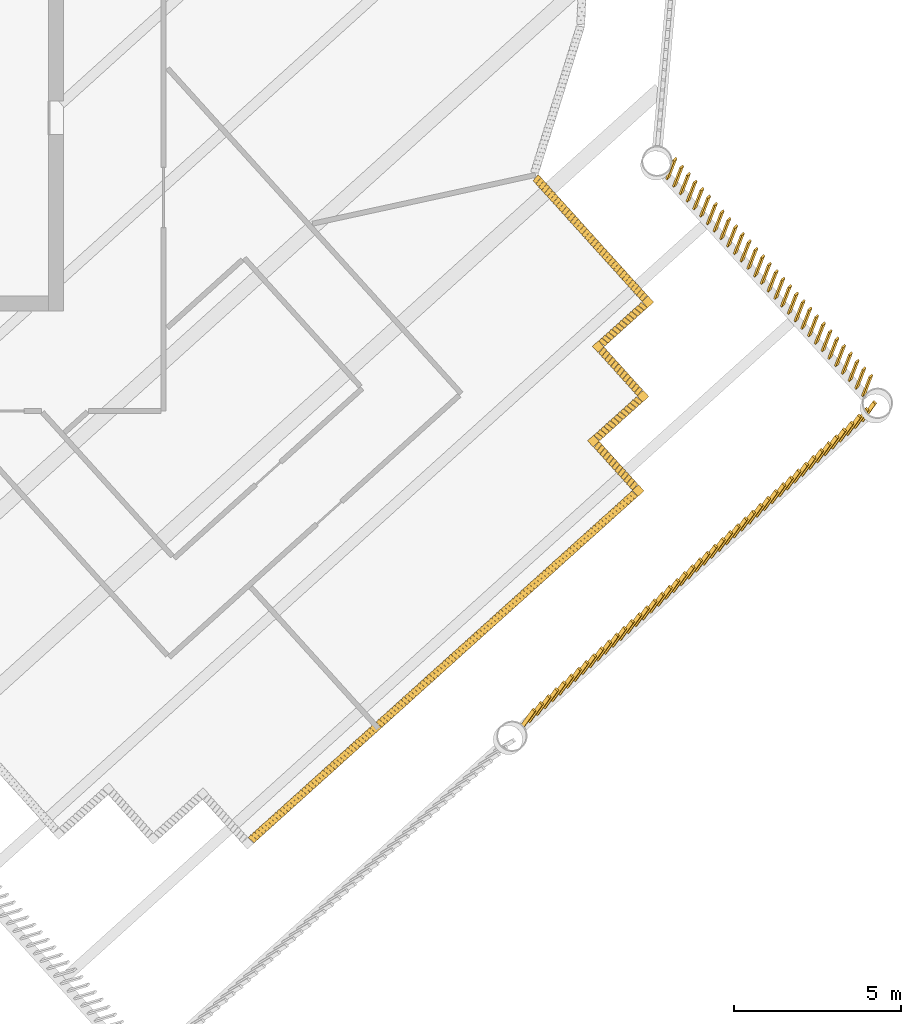
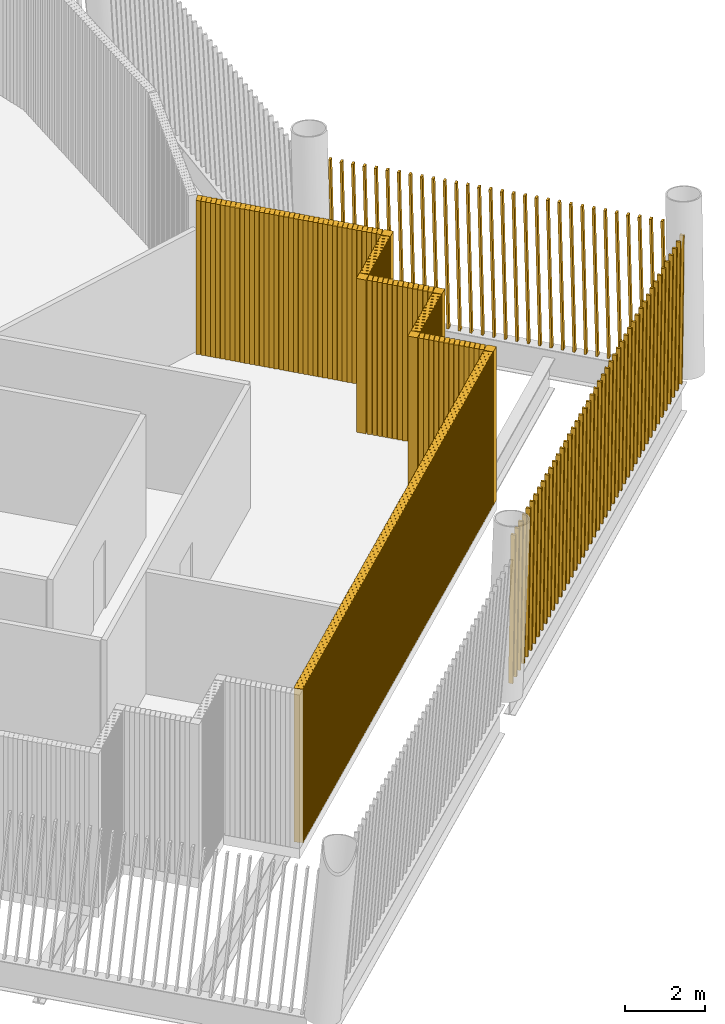
# One storey, part 19 of 21: 13 shading devices.
"""IFC4 building model written with IfcOpenShell, lengths in metres."""

from ifc_helpers import new_model, si_unit, direction, frame, frame_2d, origin, origin_2d, place, context, subcontext, project, spatial, rectangle, composite_profile, extrude, material, type_object, element, save


model = new_model("IFC4")

# Units and contexts
model_context = context("Model", 3, precision=1e-05, world=origin(), true_north=direction((0.0, 1.0)))
body_context = subcontext(model_context, "Body", "Model", "MODEL_VIEW")
ifc_project = project(units=[si_unit("LENGTHUNIT", "METRE"), si_unit("AREAUNIT", "SQUARE_METRE"), si_unit("VOLUMEUNIT", "CUBIC_METRE"), si_unit("PLANEANGLEUNIT", "RADIAN"), si_unit("MASSUNIT", "GRAM", prefix="KILO")], contexts=[model_context])

# Site, building, storey
site_placement = place(None, origin())
site = spatial("IfcSite", under=ifc_project, at=site_placement, CompositionType="ELEMENT")
building_placement = place(site_placement, origin())
building = spatial("IfcBuilding", under=site, at=building_placement, Name="Tarsis Ring Headquarters", CompositionType="ELEMENT")
storey_placement = place(building_placement, frame((0.0, 0.0, 398.60009765625)))
storey = spatial("IfcBuildingStorey", under=building, at=storey_placement, Name="L94", CompositionType="ELEMENT", Elevation=398.60009765625)

# Shading devices
ifc_material_1 = material(Name="Aluminium louvre", Category="aluminium")
shading_device_type_1 = type_object("IfcShadingDeviceType", Name="Plant louvre fin", PredefinedType="USERDEFINED", material=ifc_material_1)
shading_device_1_placement = place(storey_placement, frame((15.609375, -28.851806640625, 0.0), z_axis=(0.0, 0.0, 1.0), x_axis=(0.742207311503, 0.670163335381, 0.0)))
element("IfcShadingDevice", 1, at=shading_device_1_placement, inside=storey, type_object=shading_device_type_1, Name="Louvre L94-11", ObjectType="Louvre", PredefinedType="USERDEFINED", context=body_context, shape_type="SweptSolid", body=[
    extrude(composite_profile([rectangle(XDim=0.1201171875, YDim=0.239990234375, at=frame_2d((0.076171875, 0.0), x_axis=(0.990268068742, 0.13917310096))), rectangle(XDim=0.1201171875, YDim=0.239990234375, at=frame_2d((0.201904296875, 0.0), x_axis=(0.990268068742, 0.13917310096))), rectangle(XDim=0.1201171875, YDim=0.239990234375, at=frame_2d((0.327880859375, 0.0), x_axis=(0.990268068742, 0.13917310096))), rectangle(XDim=0.1201171875, YDim=0.239990234375, at=frame_2d((0.45361328125, 0.0), x_axis=(0.990268068742, 0.13917310096))), rectangle(XDim=0.1201171875, YDim=0.239990234375, at=frame_2d((0.579345703125, 0.0), x_axis=(0.990268068742, 0.13917310096))), rectangle(XDim=0.1201171875, YDim=0.239990234375, at=frame_2d((0.705078125, 0.0), x_axis=(0.990268068742, 0.13917310096))), rectangle(XDim=0.1201171875, YDim=0.239990234375, at=frame_2d((0.8310546875, 0.0), x_axis=(0.990268068742, 0.13917310096))), rectangle(XDim=0.1201171875, YDim=0.239990234375, at=frame_2d((0.956787109375, 0.0), x_axis=(0.990268068742, 0.13917310096))), rectangle(XDim=0.1201171875, YDim=0.239990234375, at=frame_2d((1.08251953125, 0.0), x_axis=(0.990268068742, 0.13917310096))), rectangle(XDim=0.1201171875, YDim=0.239990234375, at=frame_2d((1.208251953125, 0.0), x_axis=(0.990268068742, 0.13917310096))), rectangle(XDim=0.1201171875, YDim=0.239990234375, at=frame_2d((1.334228515625, 0.0), x_axis=(0.990268068742, 0.13917310096))), rectangle(XDim=0.1201171875, YDim=0.239990234375, at=frame_2d((1.4599609375, 0.0), x_axis=(0.990268068742, 0.13917310096))), rectangle(XDim=0.1201171875, YDim=0.239990234375, at=frame_2d((1.585693359375, 0.0), x_axis=(0.990268068742, 0.13917310096))), rectangle(XDim=0.1201171875, YDim=0.239990234375, at=frame_2d((1.711669921875, 0.0), x_axis=(0.990268068742, 0.13917310096))), rectangle(XDim=0.1201171875, YDim=0.239990234375, at=frame_2d((1.83740234375, 0.0), x_axis=(0.990268068742, 0.13917310096))), rectangle(XDim=0.1201171875, YDim=0.239990234375, at=frame_2d((1.963134765625, 0.0), x_axis=(0.990268068742, 0.13917310096))), rectangle(XDim=0.1201171875, YDim=0.239990234375, at=frame_2d((2.0888671875, 0.0), x_axis=(0.990268068742, 0.13917310096))), rectangle(XDim=0.1201171875, YDim=0.239990234375, at=frame_2d((2.21484375, 0.0), x_axis=(0.990268068742, 0.13917310096))), rectangle(XDim=0.1201171875, YDim=0.239990234375, at=frame_2d((2.340576171875, 0.0), x_axis=(0.990268068742, 0.13917310096))), rectangle(XDim=0.1201171875, YDim=0.239990234375, at=frame_2d((2.46630859375, 0.0), x_axis=(0.990268068742, 0.13917310096))), rectangle(XDim=0.1201171875, YDim=0.239990234375, at=frame_2d((2.592041015625, 0.0), x_axis=(0.990268068742, 0.13917310096))), rectangle(XDim=0.1201171875, YDim=0.239990234375, at=frame_2d((2.718017578125, 0.0), x_axis=(0.990268068742, 0.13917310096))), rectangle(XDim=0.1201171875, YDim=0.239990234375, at=frame_2d((2.84375, 0.0), x_axis=(0.990268068742, 0.13917310096))), rectangle(XDim=0.1201171875, YDim=0.239990234375, at=frame_2d((2.969482421875, 0.0), x_axis=(0.990268068742, 0.13917310096))), rectangle(XDim=0.1201171875, YDim=0.239990234375, at=frame_2d((3.09521484375, 0.0), x_axis=(0.990268068742, 0.13917310096))), rectangle(XDim=0.1201171875, YDim=0.239990234375, at=frame_2d((3.22119140625, 0.0), x_axis=(0.990268068742, 0.13917310096))), rectangle(XDim=0.1201171875, YDim=0.239990234375, at=frame_2d((3.346923828125, 0.0), x_axis=(0.990268068742, 0.13917310096))), rectangle(XDim=0.1201171875, YDim=0.239990234375, at=frame_2d((3.47265625, 0.0), x_axis=(0.990268068742, 0.13917310096))), rectangle(XDim=0.1201171875, YDim=0.239990234375, at=frame_2d((3.5986328125, 0.0), x_axis=(0.990268068742, 0.13917310096))), rectangle(XDim=0.1201171875, YDim=0.239990234375, at=frame_2d((3.724365234375, 0.0), x_axis=(0.990268068742, 0.13917310096))), rectangle(XDim=0.1201171875, YDim=0.239990234375, at=frame_2d((3.85009765625, 0.0), x_axis=(0.990268068742, 0.13917310096))), rectangle(XDim=0.1201171875, YDim=0.239990234375, at=frame_2d((3.975830078125, 0.0), x_axis=(0.990268068742, 0.13917310096))), rectangle(XDim=0.1201171875, YDim=0.239990234375, at=frame_2d((4.101806640625, 0.0), x_axis=(0.990268068742, 0.13917310096))), rectangle(XDim=0.1201171875, YDim=0.239990234375, at=frame_2d((4.2275390625, 0.0), x_axis=(0.990268068742, 0.13917310096))), rectangle(XDim=0.1201171875, YDim=0.239990234375, at=frame_2d((4.353271484375, 0.0), x_axis=(0.990268068742, 0.13917310096))), rectangle(XDim=0.1201171875, YDim=0.239990234375, at=frame_2d((4.47900390625, 0.0), x_axis=(0.990268068742, 0.13917310096))), rectangle(XDim=0.1201171875, YDim=0.239990234375, at=frame_2d((4.60498046875, 0.0), x_axis=(0.990268068742, 0.13917310096))), rectangle(XDim=0.1201171875, YDim=0.239990234375, at=frame_2d((4.730712890625, 0.0), x_axis=(0.990268068742, 0.13917310096))), rectangle(XDim=0.1201171875, YDim=0.239990234375, at=frame_2d((4.8564453125, 0.0), x_axis=(0.990268068742, 0.13917310096))), rectangle(XDim=0.1201171875, YDim=0.239990234375, at=frame_2d((4.982421875, 0.0), x_axis=(0.990268068742, 0.13917310096))), rectangle(XDim=0.1201171875, YDim=0.239990234375, at=frame_2d((5.108154296875, 0.0), x_axis=(0.990268068742, 0.13917310096))), rectangle(XDim=0.1201171875, YDim=0.239990234375, at=frame_2d((5.23388671875, 0.0), x_axis=(0.990268068742, 0.13917310096))), rectangle(XDim=0.1201171875, YDim=0.239990234375, at=frame_2d((5.359619140625, 0.0), x_axis=(0.990268068742, 0.13917310096))), rectangle(XDim=0.1201171875, YDim=0.239990234375, at=frame_2d((5.485595703125, 0.0), x_axis=(0.990268068742, 0.13917310096))), rectangle(XDim=0.1201171875, YDim=0.239990234375, at=frame_2d((5.611328125, 0.0), x_axis=(0.990268068742, 0.13917310096))), rectangle(XDim=0.1201171875, YDim=0.239990234375, at=frame_2d((5.737060546875, 0.0), x_axis=(0.990268068742, 0.13917310096))), rectangle(XDim=0.1201171875, YDim=0.239990234375, at=frame_2d((5.86279296875, 0.0), x_axis=(0.990268068742, 0.13917310096))), rectangle(XDim=0.1201171875, YDim=0.239990234375, at=frame_2d((5.98876953125, 0.0), x_axis=(0.990268068742, 0.13917310096))), rectangle(XDim=0.1201171875, YDim=0.239990234375, at=frame_2d((6.114501953125, 0.0), x_axis=(0.990268068742, 0.13917310096))), rectangle(XDim=0.1201171875, YDim=0.239990234375, at=frame_2d((6.240234375, 0.0), x_axis=(0.990268068742, 0.13917310096))), rectangle(XDim=0.1201171875, YDim=0.239990234375, at=frame_2d((6.3662109375, 0.0), x_axis=(0.990268068742, 0.13917310096))), rectangle(XDim=0.1201171875, YDim=0.239990234375, at=frame_2d((6.491943359375, 0.0), x_axis=(0.990268068742, 0.13917310096))), rectangle(XDim=0.1201171875, YDim=0.239990234375, at=frame_2d((6.61767578125, 0.0), x_axis=(0.990268068742, 0.13917310096))), rectangle(XDim=0.1201171875, YDim=0.239990234375, at=frame_2d((6.743408203125, 0.0), x_axis=(0.990268068742, 0.13917310096))), rectangle(XDim=0.1201171875, YDim=0.239990234375, at=frame_2d((6.869384765625, 0.0), x_axis=(0.990268068742, 0.13917310096))), rectangle(XDim=0.1201171875, YDim=0.239990234375, at=frame_2d((6.9951171875, 0.0), x_axis=(0.990268068742, 0.13917310096))), rectangle(XDim=0.1201171875, YDim=0.239990234375, at=frame_2d((7.120849609375, 0.0), x_axis=(0.990268068742, 0.13917310096))), rectangle(XDim=0.1201171875, YDim=0.239990234375, at=frame_2d((7.24658203125, 0.0), x_axis=(0.990268068742, 0.13917310096))), rectangle(XDim=0.1201171875, YDim=0.239990234375, at=frame_2d((7.37255859375, 0.0), x_axis=(0.990268068742, 0.13917310096))), rectangle(XDim=0.1201171875, YDim=0.239990234375, at=frame_2d((7.498291015625, 0.0), x_axis=(0.990268068742, 0.13917310096))), rectangle(XDim=0.1201171875, YDim=0.239990234375, at=frame_2d((7.6240234375, 0.0), x_axis=(0.990268068742, 0.13917310096))), rectangle(XDim=0.1201171875, YDim=0.239990234375, at=frame_2d((7.75, 0.0), x_axis=(0.990268068742, 0.13917310096))), rectangle(XDim=0.1201171875, YDim=0.239990234375, at=frame_2d((7.875732421875, 0.0), x_axis=(0.990268068742, 0.13917310096))), rectangle(XDim=0.1201171875, YDim=0.239990234375, at=frame_2d((8.00146484375, 0.0), x_axis=(0.990268068742, 0.13917310096))), rectangle(XDim=0.1201171875, YDim=0.239990234375, at=frame_2d((8.127197265625, 0.0), x_axis=(0.990268068742, 0.13917310096))), rectangle(XDim=0.1201171875, YDim=0.239990234375, at=frame_2d((8.253173828125, 0.0), x_axis=(0.990268068742, 0.13917310096))), rectangle(XDim=0.1201171875, YDim=0.239990234375, at=frame_2d((8.37890625, 0.0), x_axis=(0.990268068742, 0.13917310096))), rectangle(XDim=0.1201171875, YDim=0.239990234375, at=frame_2d((8.504638671875, 0.0), x_axis=(0.990268068742, 0.13917310096))), rectangle(XDim=0.1201171875, YDim=0.239990234375, at=frame_2d((8.63037109375, 0.0), x_axis=(0.990268068742, 0.13917310096))), rectangle(XDim=0.1201171875, YDim=0.239990234375, at=frame_2d((8.75634765625, 0.0), x_axis=(0.990268068742, 0.13917310096))), rectangle(XDim=0.1201171875, YDim=0.239990234375, at=frame_2d((8.882080078125, 0.0), x_axis=(0.990268068742, 0.13917310096))), rectangle(XDim=0.1201171875, YDim=0.239990234375, at=frame_2d((9.0078125, 0.0), x_axis=(0.990268068742, 0.13917310096))), rectangle(XDim=0.1201171875, YDim=0.239990234375, at=frame_2d((9.133544921875, 0.0), x_axis=(0.990268068742, 0.13917310096))), rectangle(XDim=0.1201171875, YDim=0.239990234375, at=frame_2d((9.259521484375, 0.0), x_axis=(0.990268068742, 0.13917310096))), rectangle(XDim=0.1201171875, YDim=0.239990234375, at=frame_2d((9.38525390625, 0.0), x_axis=(0.990268068742, 0.13917310096))), rectangle(XDim=0.1201171875, YDim=0.239990234375, at=frame_2d((9.510986328125, 0.0), x_axis=(0.990268068742, 0.13917310096))), rectangle(XDim=0.1201171875, YDim=0.239990234375, at=frame_2d((9.636962890625, 0.0), x_axis=(0.990268068742, 0.13917310096))), rectangle(XDim=0.1201171875, YDim=0.239990234375, at=frame_2d((9.7626953125, 0.0), x_axis=(0.990268068742, 0.13917310096))), rectangle(XDim=0.1201171875, YDim=0.239990234375, at=frame_2d((9.888427734375, 0.0), x_axis=(0.990268068742, 0.13917310096))), rectangle(XDim=0.1201171875, YDim=0.239990234375, at=frame_2d((10.01416015625, 0.0), x_axis=(0.990268068742, 0.13917310096))), rectangle(XDim=0.1201171875, YDim=0.239990234375, at=frame_2d((10.14013671875, 0.0), x_axis=(0.990268068742, 0.13917310096))), rectangle(XDim=0.1201171875, YDim=0.239990234375, at=frame_2d((10.265869140625, 0.0), x_axis=(0.990268068742, 0.13917310096))), rectangle(XDim=0.1201171875, YDim=0.239990234375, at=frame_2d((10.3916015625, 0.0), x_axis=(0.990268068742, 0.13917310096))), rectangle(XDim=0.1201171875, YDim=0.239990234375, at=frame_2d((10.517333984375, 0.0), x_axis=(0.990268068742, 0.13917310096))), rectangle(XDim=0.1201171875, YDim=0.239990234375, at=frame_2d((10.643310546875, 0.0), x_axis=(0.990268068742, 0.13917310096))), rectangle(XDim=0.1201171875, YDim=0.239990234375, at=frame_2d((10.76904296875, 0.0), x_axis=(0.990268068742, 0.13917310096))), rectangle(XDim=0.1201171875, YDim=0.239990234375, at=frame_2d((10.894775390625, 0.0), x_axis=(0.990268068742, 0.13917310096))), rectangle(XDim=0.1201171875, YDim=0.239990234375, at=frame_2d((11.020751953125, 0.0), x_axis=(0.990268068742, 0.13917310096))), rectangle(XDim=0.1201171875, YDim=0.239990234375, at=frame_2d((11.146484375, 0.0), x_axis=(0.990268068742, 0.13917310096))), rectangle(XDim=0.1201171875, YDim=0.239990234375, at=frame_2d((11.272216796875, 0.0), x_axis=(0.990268068742, 0.13917310096))), rectangle(XDim=0.1201171875, YDim=0.239990234375, at=frame_2d((11.39794921875, 0.0), x_axis=(0.990268068742, 0.13917310096))), rectangle(XDim=0.1201171875, YDim=0.239990234375, at=frame_2d((11.52392578125, 0.0), x_axis=(0.990268068742, 0.13917310096))), rectangle(XDim=0.1201171875, YDim=0.239990234375, at=frame_2d((11.649658203125, 0.0), x_axis=(0.990268068742, 0.13917310096))), rectangle(XDim=0.1201171875, YDim=0.239990234375, at=frame_2d((11.775390625, 0.0), x_axis=(0.990268068742, 0.13917310096))), rectangle(XDim=0.1201171875, YDim=0.239990234375, at=frame_2d((11.901123046875, 0.0), x_axis=(0.990268068742, 0.13917310096))), rectangle(XDim=0.1201171875, YDim=0.239990234375, at=frame_2d((12.027099609375, 0.0), x_axis=(0.990268068742, 0.13917310096))), rectangle(XDim=0.1201171875, YDim=0.239990234375, at=frame_2d((12.15283203125, 0.0), x_axis=(0.990268068742, 0.13917310096))), rectangle(XDim=0.1201171875, YDim=0.239990234375, at=frame_2d((12.278564453125, 0.0), x_axis=(0.990268068742, 0.13917310096))), rectangle(XDim=0.1201171875, YDim=0.239990234375, at=frame_2d((12.404541015625, 0.0), x_axis=(0.990268068742, 0.13917310096))), rectangle(XDim=0.1201171875, YDim=0.239990234375, at=frame_2d((12.5302734375, 0.0), x_axis=(0.990268068742, 0.13917310096))), rectangle(XDim=0.1201171875, YDim=0.239990234375, at=frame_2d((12.656005859375, 0.0), x_axis=(0.990268068742, 0.13917310096))), rectangle(XDim=0.1201171875, YDim=0.239990234375, at=frame_2d((12.78173828125, 0.0), x_axis=(0.990268068742, 0.13917310096))), rectangle(XDim=0.1201171875, YDim=0.239990234375, at=frame_2d((12.90771484375, 0.0), x_axis=(0.990268068742, 0.13917310096))), rectangle(XDim=0.1201171875, YDim=0.239990234375, at=frame_2d((13.033447265625, 0.0), x_axis=(0.990268068742, 0.13917310096))), rectangle(XDim=0.1201171875, YDim=0.239990234375, at=frame_2d((13.1591796875, 0.0), x_axis=(0.990268068742, 0.13917310096))), rectangle(XDim=0.1201171875, YDim=0.239990234375, at=frame_2d((13.284912109375, 0.0), x_axis=(0.990268068742, 0.13917310096))), rectangle(XDim=0.1201171875, YDim=0.239990234375, at=frame_2d((13.410888671875, 0.0), x_axis=(0.990268068742, 0.13917310096))), rectangle(XDim=0.1201171875, YDim=0.239990234375, at=frame_2d((13.53662109375, 0.0), x_axis=(0.990268068742, 0.13917310096))), rectangle(XDim=0.1201171875, YDim=0.239990234375, at=frame_2d((13.662353515625, 0.0), x_axis=(0.990268068742, 0.13917310096))), rectangle(XDim=0.1201171875, YDim=0.239990234375, at=frame_2d((13.7880859375, 0.0), x_axis=(0.990268068742, 0.13917310096))), rectangle(XDim=0.1201171875, YDim=0.239990234375, at=frame_2d((13.9140625, 0.0), x_axis=(0.990268068742, 0.13917310096))), rectangle(XDim=0.1201171875, YDim=0.239990234375, at=frame_2d((14.039794921875, 0.0), x_axis=(0.990268068742, 0.13917310096))), rectangle(XDim=0.1201171875, YDim=0.239990234375, at=frame_2d((14.16552734375, 0.0), x_axis=(0.990268068742, 0.13917310096))), rectangle(XDim=0.1201171875, YDim=0.239990234375, at=frame_2d((14.29150390625, 0.0), x_axis=(0.990268068742, 0.13917310096))), rectangle(XDim=0.1201171875, YDim=0.239990234375, at=frame_2d((14.417236328125, 0.0), x_axis=(0.990268068742, 0.13917310096))), rectangle(XDim=0.1201171875, YDim=0.239990234375, at=frame_2d((14.54296875, 0.0), x_axis=(0.990268068742, 0.13917310096))), rectangle(XDim=0.1201171875, YDim=0.239990234375, at=frame_2d((14.668701171875, 0.0), x_axis=(0.990268068742, 0.13917310096))), rectangle(XDim=0.1201171875, YDim=0.239990234375, at=frame_2d((14.794677734375, 0.0), x_axis=(0.990268068742, 0.13917310096))), rectangle(XDim=0.1201171875, YDim=0.239990234375, at=frame_2d((14.92041015625, 0.0), x_axis=(0.990268068742, 0.13917310096))), rectangle(XDim=0.1201171875, YDim=0.239990234375, at=frame_2d((15.046142578125, 0.0), x_axis=(0.990268068742, 0.13917310096))), rectangle(XDim=0.1201171875, YDim=0.239990234375, at=frame_2d((15.171875, 0.0), x_axis=(0.990268068742, 0.13917310096))), rectangle(XDim=0.1201171875, YDim=0.239990234375, at=frame_2d((15.2978515625, 0.0), x_axis=(0.990268068742, 0.13917310096))), rectangle(XDim=0.1201171875, YDim=0.239990234375, at=frame_2d((15.423583984375, 0.0), x_axis=(0.990268068742, 0.13917310096)))]), origin(), (0.0, 0.0, 1.0), 4.699951171875),
])
for number, where, z_axis, x_axis, name in (
    (2, (27.122802734375, -18.28759765625, 0.0), (0.0, 0.0, 1.0), (-0.670200892857, 0.7421875, 0.0), "Louvre L94-12"),
    (3, (25.958984375, -16.812255859375, 0.0), (0.0, 0.0, 1.0), (0.7421875, 0.670200892857, 0.0), "Louvre L94-13"),
    (4, (27.266845703125, -15.462890625, 0.0), (0.0, 0.0, 1.0), (-0.670200892857, 0.7421875, 0.0), "Louvre L94-14"),
    (5, (26.10302734375, -13.9873046875, 0.0), (0.0, 0.0, 1.0), (0.74229105623, 0.670154876517, 0.0), "Louvre L94-15"),
):
    element("IfcShadingDevice", number, at=place(storey_placement, frame(where, z_axis=z_axis, x_axis=x_axis)), inside=storey, type_object=shading_device_type_1, Name=name, ObjectType="Louvre", PredefinedType="USERDEFINED", context=body_context, shape_type="SweptSolid", body=[
        extrude(composite_profile([rectangle(XDim=0.1201171875, YDim=0.239990234375, at=frame_2d((0.078125, 0.0), x_axis=(0.987688340595, 0.15643446504))), rectangle(XDim=0.1201171875, YDim=0.239990234375, at=frame_2d((0.2109375, 0.0), x_axis=(0.987688340595, 0.15643446504))), rectangle(XDim=0.1201171875, YDim=0.239990234375, at=frame_2d((0.34375, 0.0), x_axis=(0.987688340595, 0.15643446504))), rectangle(XDim=0.1201171875, YDim=0.239990234375, at=frame_2d((0.4765625, 0.0), x_axis=(0.987688340595, 0.15643446504))), rectangle(XDim=0.1201171875, YDim=0.239990234375, at=frame_2d((0.609375, 0.0), x_axis=(0.987688340595, 0.15643446504))), rectangle(XDim=0.1201171875, YDim=0.239990234375, at=frame_2d((0.7421875, 0.0), x_axis=(0.987688340595, 0.15643446504))), rectangle(XDim=0.1201171875, YDim=0.239990234375, at=frame_2d((0.875, 0.0), x_axis=(0.987688340595, 0.15643446504))), rectangle(XDim=0.1201171875, YDim=0.239990234375, at=frame_2d((1.0078125, 0.0), x_axis=(0.987688340595, 0.15643446504))), rectangle(XDim=0.1201171875, YDim=0.239990234375, at=frame_2d((1.140625, 0.0), x_axis=(0.987688340595, 0.15643446504))), rectangle(XDim=0.1201171875, YDim=0.239990234375, at=frame_2d((1.2734375, 0.0), x_axis=(0.987688340595, 0.15643446504))), rectangle(XDim=0.1201171875, YDim=0.239990234375, at=frame_2d((1.40625, 0.0), x_axis=(0.987688340595, 0.15643446504))), rectangle(XDim=0.1201171875, YDim=0.239990234375, at=frame_2d((1.5390625, 0.0), x_axis=(0.987688340595, 0.15643446504))), rectangle(XDim=0.1201171875, YDim=0.239990234375, at=frame_2d((1.671875, 0.0), x_axis=(0.987688340595, 0.15643446504)))]), origin(), (0.0, 0.0, 1.0), 4.699951171875),
    ])
shading_device_2_placement = place(storey_placement, frame((27.410888671875, -12.63818359375, 0.0), z_axis=(0.0, 0.0, 1.0), x_axis=(-0.670153417015, 0.742229527794, 0.0)))
element("IfcShadingDevice", 6, at=shading_device_2_placement, inside=storey, type_object=shading_device_type_1, Name="Louvre L94-16", ObjectType="Louvre", PredefinedType="USERDEFINED", context=body_context, shape_type="SweptSolid", body=[
    extrude(composite_profile([rectangle(XDim=0.1201171875, YDim=0.239990234375, at=frame_2d((0.076171875, 0.0), x_axis=(0.990268068742, 0.13917310096))), rectangle(XDim=0.1201171875, YDim=0.239990234375, at=frame_2d((0.20458984375, 0.0), x_axis=(0.990268068742, 0.13917310096))), rectangle(XDim=0.1201171875, YDim=0.239990234375, at=frame_2d((0.332763671875, 0.0), x_axis=(0.990268068742, 0.13917310096))), rectangle(XDim=0.1201171875, YDim=0.239990234375, at=frame_2d((0.461181640625, 0.0), x_axis=(0.990268068742, 0.13917310096))), rectangle(XDim=0.1201171875, YDim=0.239990234375, at=frame_2d((0.589599609375, 0.0), x_axis=(0.990268068742, 0.13917310096))), rectangle(XDim=0.1201171875, YDim=0.239990234375, at=frame_2d((0.718017578125, 0.0), x_axis=(0.990268068742, 0.13917310096))), rectangle(XDim=0.1201171875, YDim=0.239990234375, at=frame_2d((0.84619140625, 0.0), x_axis=(0.990268068742, 0.13917310096))), rectangle(XDim=0.1201171875, YDim=0.239990234375, at=frame_2d((0.974609375, 0.0), x_axis=(0.990268068742, 0.13917310096))), rectangle(XDim=0.1201171875, YDim=0.239990234375, at=frame_2d((1.10302734375, 0.0), x_axis=(0.990268068742, 0.13917310096))), rectangle(XDim=0.1201171875, YDim=0.239990234375, at=frame_2d((1.231201171875, 0.0), x_axis=(0.990268068742, 0.13917310096))), rectangle(XDim=0.1201171875, YDim=0.239990234375, at=frame_2d((1.359619140625, 0.0), x_axis=(0.990268068742, 0.13917310096))), rectangle(XDim=0.1201171875, YDim=0.239990234375, at=frame_2d((1.488037109375, 0.0), x_axis=(0.990268068742, 0.13917310096))), rectangle(XDim=0.1201171875, YDim=0.239990234375, at=frame_2d((1.6162109375, 0.0), x_axis=(0.990268068742, 0.13917310096))), rectangle(XDim=0.1201171875, YDim=0.239990234375, at=frame_2d((1.74462890625, 0.0), x_axis=(0.990268068742, 0.13917310096))), rectangle(XDim=0.1201171875, YDim=0.239990234375, at=frame_2d((1.873046875, 0.0), x_axis=(0.990268068742, 0.13917310096))), rectangle(XDim=0.1201171875, YDim=0.239990234375, at=frame_2d((2.00146484375, 0.0), x_axis=(0.990268068742, 0.13917310096))), rectangle(XDim=0.1201171875, YDim=0.239990234375, at=frame_2d((2.129638671875, 0.0), x_axis=(0.990268068742, 0.13917310096))), rectangle(XDim=0.1201171875, YDim=0.239990234375, at=frame_2d((2.258056640625, 0.0), x_axis=(0.990268068742, 0.13917310096))), rectangle(XDim=0.1201171875, YDim=0.239990234375, at=frame_2d((2.386474609375, 0.0), x_axis=(0.990268068742, 0.13917310096))), rectangle(XDim=0.1201171875, YDim=0.239990234375, at=frame_2d((2.5146484375, 0.0), x_axis=(0.990268068742, 0.13917310096))), rectangle(XDim=0.1201171875, YDim=0.239990234375, at=frame_2d((2.64306640625, 0.0), x_axis=(0.990268068742, 0.13917310096))), rectangle(XDim=0.1201171875, YDim=0.239990234375, at=frame_2d((2.771484375, 0.0), x_axis=(0.990268068742, 0.13917310096))), rectangle(XDim=0.1201171875, YDim=0.239990234375, at=frame_2d((2.899658203125, 0.0), x_axis=(0.990268068742, 0.13917310096))), rectangle(XDim=0.1201171875, YDim=0.239990234375, at=frame_2d((3.028076171875, 0.0), x_axis=(0.990268068742, 0.13917310096))), rectangle(XDim=0.1201171875, YDim=0.239990234375, at=frame_2d((3.156494140625, 0.0), x_axis=(0.990268068742, 0.13917310096))), rectangle(XDim=0.1201171875, YDim=0.239990234375, at=frame_2d((3.284912109375, 0.0), x_axis=(0.990268068742, 0.13917310096))), rectangle(XDim=0.1201171875, YDim=0.239990234375, at=frame_2d((3.4130859375, 0.0), x_axis=(0.990268068742, 0.13917310096))), rectangle(XDim=0.1201171875, YDim=0.239990234375, at=frame_2d((3.54150390625, 0.0), x_axis=(0.990268068742, 0.13917310096))), rectangle(XDim=0.1201171875, YDim=0.239990234375, at=frame_2d((3.669921875, 0.0), x_axis=(0.990268068742, 0.13917310096))), rectangle(XDim=0.1201171875, YDim=0.239990234375, at=frame_2d((3.798095703125, 0.0), x_axis=(0.990268068742, 0.13917310096))), rectangle(XDim=0.1201171875, YDim=0.239990234375, at=frame_2d((3.926513671875, 0.0), x_axis=(0.990268068742, 0.13917310096))), rectangle(XDim=0.1201171875, YDim=0.239990234375, at=frame_2d((4.054931640625, 0.0), x_axis=(0.990268068742, 0.13917310096))), rectangle(XDim=0.1201171875, YDim=0.239990234375, at=frame_2d((4.18310546875, 0.0), x_axis=(0.990268068742, 0.13917310096))), rectangle(XDim=0.1201171875, YDim=0.239990234375, at=frame_2d((4.3115234375, 0.0), x_axis=(0.990268068742, 0.13917310096))), rectangle(XDim=0.1201171875, YDim=0.239990234375, at=frame_2d((4.43994140625, 0.0), x_axis=(0.990268068742, 0.13917310096))), rectangle(XDim=0.1201171875, YDim=0.239990234375, at=frame_2d((4.568359375, 0.0), x_axis=(0.990268068742, 0.13917310096))), rectangle(XDim=0.1201171875, YDim=0.239990234375, at=frame_2d((4.696533203125, 0.0), x_axis=(0.990268068742, 0.13917310096))), rectangle(XDim=0.1201171875, YDim=0.239990234375, at=frame_2d((4.824951171875, 0.0), x_axis=(0.990268068742, 0.13917310096)))]), origin(), (0.0, 0.0, 1.0), 4.699951171875),
])
ifc_material_2 = material(Name="Terracotta baguette", Category="masonry")
shading_device_type_2 = type_object("IfcShadingDeviceType", Name="Terracotta baguette screen", PredefinedType="USERDEFINED", material=ifc_material_2)
shading_device_3_placement = place(storey_placement, frame((23.69287109375, -25.493896484375, 0.0), z_axis=(0.0, 0.0, 1.0), x_axis=(0.742220256524, 0.670163644405, 0.0)))
element("IfcShadingDevice", 7, at=shading_device_3_placement, inside=storey, type_object=shading_device_type_2, Name="Baguette screen L94-03", ObjectType="Terracotta baguette screen", PredefinedType="USERDEFINED", context=body_context, shape_type="SweptSolid", body=[
    extrude(composite_profile([rectangle(XDim=0.06005859375, YDim=0.1201171875, at=frame_2d((0.030029296875, 0.0))), rectangle(XDim=0.06005859375, YDim=0.1201171875, at=frame_2d((0.33544921875, 0.0))), rectangle(XDim=0.06005859375, YDim=0.1201171875, at=frame_2d((0.640625, 0.0))), rectangle(XDim=0.06005859375, YDim=0.1201171875, at=frame_2d((0.946044921875, 0.0))), rectangle(XDim=0.06005859375, YDim=0.1201171875, at=frame_2d((1.25146484375, 0.0))), rectangle(XDim=0.06005859375, YDim=0.1201171875, at=frame_2d((1.556640625, 0.0))), rectangle(XDim=0.06005859375, YDim=0.1201171875, at=frame_2d((1.862060546875, 0.0))), rectangle(XDim=0.06005859375, YDim=0.1201171875, at=frame_2d((2.16748046875, 0.0))), rectangle(XDim=0.06005859375, YDim=0.1201171875, at=frame_2d((2.47265625, 0.0))), rectangle(XDim=0.06005859375, YDim=0.1201171875, at=frame_2d((2.778076171875, 0.0))), rectangle(XDim=0.06005859375, YDim=0.1201171875, at=frame_2d((3.08349609375, 0.0))), rectangle(XDim=0.06005859375, YDim=0.1201171875, at=frame_2d((3.388671875, 0.0))), rectangle(XDim=0.06005859375, YDim=0.1201171875, at=frame_2d((3.694091796875, 0.0))), rectangle(XDim=0.06005859375, YDim=0.1201171875, at=frame_2d((3.99951171875, 0.0))), rectangle(XDim=0.06005859375, YDim=0.1201171875, at=frame_2d((4.3046875, 0.0))), rectangle(XDim=0.06005859375, YDim=0.1201171875, at=frame_2d((4.610107421875, 0.0))), rectangle(XDim=0.06005859375, YDim=0.1201171875, at=frame_2d((4.91552734375, 0.0))), rectangle(XDim=0.06005859375, YDim=0.1201171875, at=frame_2d((5.220703125, 0.0))), rectangle(XDim=0.06005859375, YDim=0.1201171875, at=frame_2d((5.526123046875, 0.0))), rectangle(XDim=0.06005859375, YDim=0.1201171875, at=frame_2d((5.83154296875, 0.0))), rectangle(XDim=0.06005859375, YDim=0.1201171875, at=frame_2d((6.13671875, 0.0))), rectangle(XDim=0.06005859375, YDim=0.1201171875, at=frame_2d((6.442138671875, 0.0))), rectangle(XDim=0.06005859375, YDim=0.1201171875, at=frame_2d((6.74755859375, 0.0))), rectangle(XDim=0.06005859375, YDim=0.1201171875, at=frame_2d((7.052734375, 0.0))), rectangle(XDim=0.06005859375, YDim=0.1201171875, at=frame_2d((7.358154296875, 0.0))), rectangle(XDim=0.06005859375, YDim=0.1201171875, at=frame_2d((7.66357421875, 0.0))), rectangle(XDim=0.06005859375, YDim=0.1201171875, at=frame_2d((7.96875, 0.0))), rectangle(XDim=0.06005859375, YDim=0.1201171875, at=frame_2d((8.274169921875, 0.0))), rectangle(XDim=0.06005859375, YDim=0.1201171875, at=frame_2d((8.57958984375, 0.0))), rectangle(XDim=0.06005859375, YDim=0.1201171875, at=frame_2d((8.884765625, 0.0))), rectangle(XDim=0.06005859375, YDim=0.1201171875, at=frame_2d((9.190185546875, 0.0))), rectangle(XDim=0.06005859375, YDim=0.1201171875, at=frame_2d((9.49560546875, 0.0))), rectangle(XDim=0.06005859375, YDim=0.1201171875, at=frame_2d((9.80078125, 0.0))), rectangle(XDim=0.06005859375, YDim=0.1201171875, at=frame_2d((10.106201171875, 0.0))), rectangle(XDim=0.06005859375, YDim=0.1201171875, at=frame_2d((10.41162109375, 0.0))), rectangle(XDim=0.06005859375, YDim=0.1201171875, at=frame_2d((10.716796875, 0.0))), rectangle(XDim=0.06005859375, YDim=0.1201171875, at=frame_2d((11.022216796875, 0.0))), rectangle(XDim=0.06005859375, YDim=0.1201171875, at=frame_2d((11.32763671875, 0.0))), rectangle(XDim=0.06005859375, YDim=0.1201171875, at=frame_2d((11.6328125, 0.0))), rectangle(XDim=0.06005859375, YDim=0.1201171875, at=frame_2d((11.938232421875, 0.0))), rectangle(XDim=0.06005859375, YDim=0.1201171875, at=frame_2d((12.24365234375, 0.0))), rectangle(XDim=0.06005859375, YDim=0.1201171875, at=frame_2d((12.548828125, 0.0))), rectangle(XDim=0.06005859375, YDim=0.1201171875, at=frame_2d((12.854248046875, 0.0))), rectangle(XDim=0.06005859375, YDim=0.1201171875, at=frame_2d((13.15966796875, 0.0))), rectangle(XDim=0.06005859375, YDim=0.1201171875, at=frame_2d((13.46484375, 0.0))), rectangle(XDim=0.06005859375, YDim=0.1201171875, at=frame_2d((13.770263671875, 0.0)))]), origin(), (0.152043274895, 0.033777924186, 0.987796484301), 4.146240234375),
])
shading_device_4_placement = place(storey_placement, frame((33.971435546875, -15.539306640625, 0.0), z_axis=(0.0, 0.0, 1.0), x_axis=(-0.670160552367, 0.742201147991, 0.0)))
element("IfcShadingDevice", 8, at=shading_device_4_placement, inside=storey, type_object=shading_device_type_2, Name="Baguette screen L94-04", ObjectType="Terracotta baguette screen", PredefinedType="USERDEFINED", context=body_context, shape_type="SweptSolid", body=[
    extrude(composite_profile([rectangle(XDim=0.06005859375, YDim=0.1201171875, at=frame_2d((0.030029296875, 0.0))), rectangle(XDim=0.06005859375, YDim=0.1201171875, at=frame_2d((0.33154296875, 0.0))), rectangle(XDim=0.06005859375, YDim=0.1201171875, at=frame_2d((0.633056640625, 0.0))), rectangle(XDim=0.06005859375, YDim=0.1201171875, at=frame_2d((0.9345703125, 0.0))), rectangle(XDim=0.06005859375, YDim=0.1201171875, at=frame_2d((1.236083984375, 0.0))), rectangle(XDim=0.06005859375, YDim=0.1201171875, at=frame_2d((1.53759765625, 0.0))), rectangle(XDim=0.06005859375, YDim=0.1201171875, at=frame_2d((1.839111328125, 0.0))), rectangle(XDim=0.06005859375, YDim=0.1201171875, at=frame_2d((2.140625, 0.0))), rectangle(XDim=0.06005859375, YDim=0.1201171875, at=frame_2d((2.442138671875, 0.0))), rectangle(XDim=0.06005859375, YDim=0.1201171875, at=frame_2d((2.74365234375, 0.0))), rectangle(XDim=0.06005859375, YDim=0.1201171875, at=frame_2d((3.045166015625, 0.0))), rectangle(XDim=0.06005859375, YDim=0.1201171875, at=frame_2d((3.3466796875, 0.0))), rectangle(XDim=0.06005859375, YDim=0.1201171875, at=frame_2d((3.648193359375, 0.0))), rectangle(XDim=0.06005859375, YDim=0.1201171875, at=frame_2d((3.94970703125, 0.0))), rectangle(XDim=0.06005859375, YDim=0.1201171875, at=frame_2d((4.251220703125, 0.0))), rectangle(XDim=0.06005859375, YDim=0.1201171875, at=frame_2d((4.552978515625, 0.0))), rectangle(XDim=0.06005859375, YDim=0.1201171875, at=frame_2d((4.8544921875, 0.0))), rectangle(XDim=0.06005859375, YDim=0.1201171875, at=frame_2d((5.156005859375, 0.0))), rectangle(XDim=0.06005859375, YDim=0.1201171875, at=frame_2d((5.45751953125, 0.0))), rectangle(XDim=0.06005859375, YDim=0.1201171875, at=frame_2d((5.759033203125, 0.0))), rectangle(XDim=0.06005859375, YDim=0.1201171875, at=frame_2d((6.060546875, 0.0))), rectangle(XDim=0.06005859375, YDim=0.1201171875, at=frame_2d((6.362060546875, 0.0))), rectangle(XDim=0.06005859375, YDim=0.1201171875, at=frame_2d((6.66357421875, 0.0))), rectangle(XDim=0.06005859375, YDim=0.1201171875, at=frame_2d((6.965087890625, 0.0))), rectangle(XDim=0.06005859375, YDim=0.1201171875, at=frame_2d((7.2666015625, 0.0))), rectangle(XDim=0.06005859375, YDim=0.1201171875, at=frame_2d((7.568115234375, 0.0))), rectangle(XDim=0.06005859375, YDim=0.1201171875, at=frame_2d((7.86962890625, 0.0))), rectangle(XDim=0.06005859375, YDim=0.1201171875, at=frame_2d((8.171142578125, 0.0))), rectangle(XDim=0.06005859375, YDim=0.1201171875, at=frame_2d((8.47265625, 0.0))), rectangle(XDim=0.06005859375, YDim=0.1201171875, at=frame_2d((8.774169921875, 0.0)))]), origin(), (0.066070817247, -0.130479361151, 0.989247079056), 4.14013671875),
])
shading_device_type_3 = type_object("IfcShadingDeviceType", Name="Terracotta corner baguette 250x250", PredefinedType="USERDEFINED", material=ifc_material_2)
for number, where, z_axis, x_axis, name in (
    (9, (27.20654296875, -18.38037109375, 0.0), (0.0, 0.0, 1.0), (0.742209795412, 0.670167605599, 0.0), "Corner baguette L94-12"),
    (10, (25.8662109375, -16.89599609375, 0.0), (0.0, 0.0, 1.0), (-0.670167696277, 0.742209713535, 0.0), "Corner baguette L94-13"),
    (11, (27.3505859375, -15.5556640625, 0.0), (0.0, 0.0, 1.0), (0.742209713535, 0.670167696277, 0.0), "Corner baguette L94-14"),
    (12, (26.01025390625, -14.0712890625, 0.0), (0.0, 0.0, 1.0), (-0.670167165163, 0.742210193097, 0.0), "Corner baguette L94-15"),
    (13, (27.49462890625, -12.73095703125, 0.0), (0.0, 0.0, 1.0), (0.742209713535, 0.670167696277, 0.0), "Corner baguette L94-16"),
):
    element("IfcShadingDevice", number, at=place(storey_placement, frame(where, z_axis=z_axis, x_axis=x_axis)), inside=storey, type_object=shading_device_type_3, Name=name, ObjectType="Terracotta corner baguette", PredefinedType="USERDEFINED", context=body_context, shape_type="SweptSolid", body=[
        extrude(rectangle(XDim=0.25, YDim=0.25, at=origin_2d()), origin(), (0.0, 0.0, 1.0), 4.699951171875),
    ])

save(model, "model.ifc")
